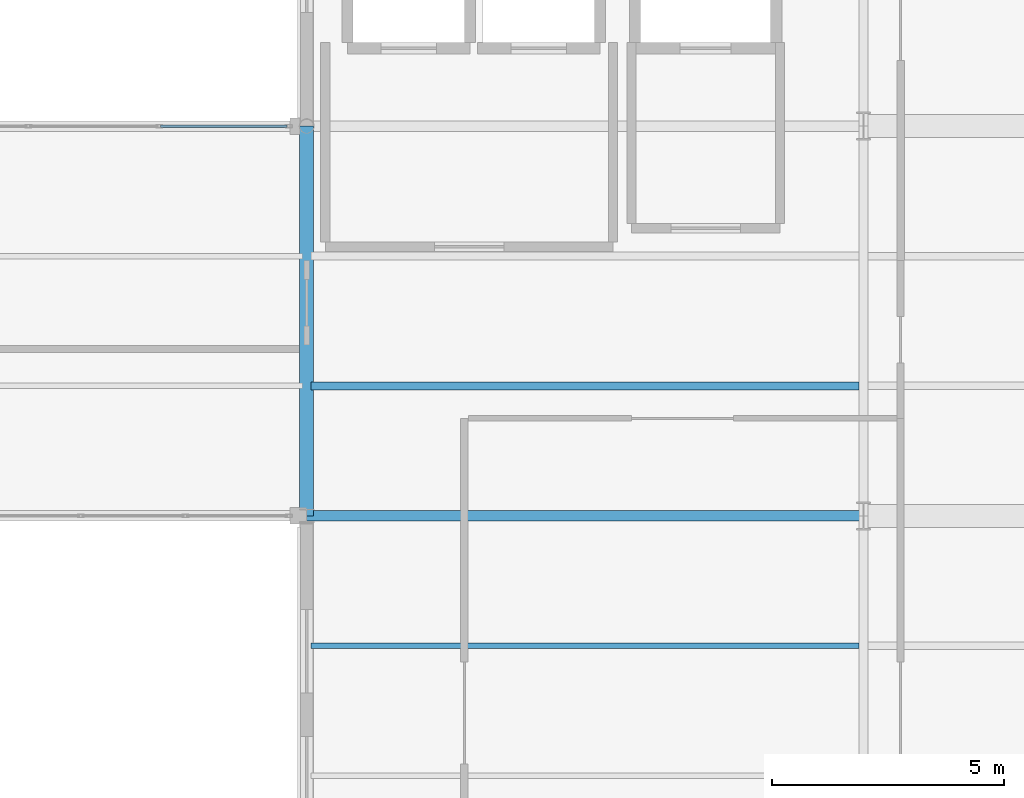
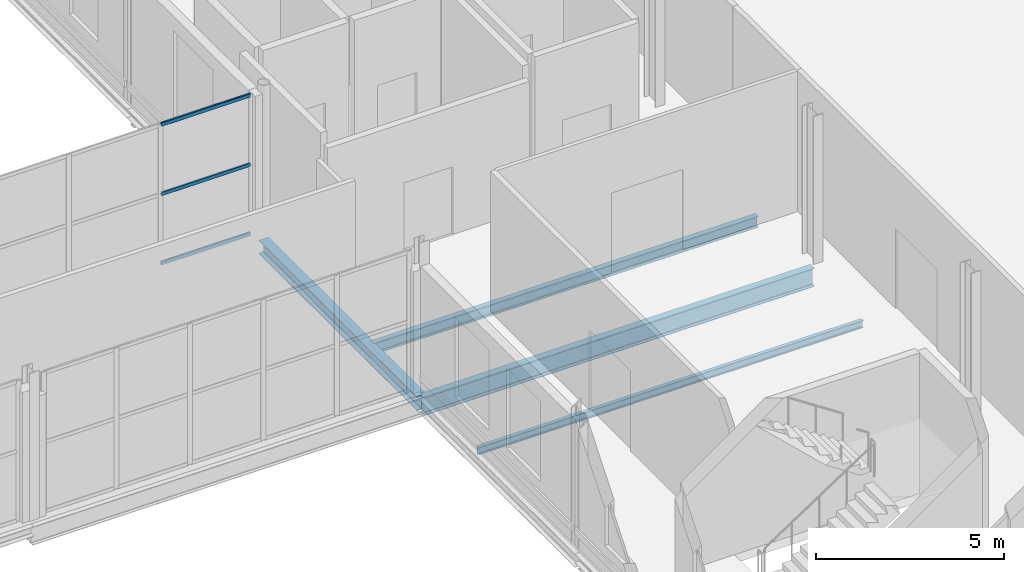
# One storey, part 68 of 120: 4 beams, 3 members, 1 element without a shape of its own.
"""IFC4 building model written with IfcOpenShell, lengths in metres."""

from ifc_helpers import new_model, si_unit, direction, frame, origin, origin_2d, place, context, subcontext, project, spatial, hollow_rectangle, i_section, extrude, material, layer, layer_set, material_profile, profile_set, type_object, element, aggregate, save


model = new_model("IFC4")

# Units and contexts
model_context = context("Model", 3, precision=1e-05, world=origin(), true_north=direction((0.0, 1.0)))
body_context = subcontext(model_context, "Body", "Model", "MODEL_VIEW")
ifc_project = project(units=[si_unit("LENGTHUNIT", "METRE"), si_unit("AREAUNIT", "SQUARE_METRE"), si_unit("VOLUMEUNIT", "CUBIC_METRE"), si_unit("PLANEANGLEUNIT", "RADIAN"), si_unit("MASSUNIT", "GRAM", prefix="KILO")], contexts=[model_context])

# Site, building, storey
site_placement = place(None, origin())
site = spatial("IfcSite", under=ifc_project, at=site_placement, CompositionType="ELEMENT")
building_placement = place(site_placement, origin())
building = spatial("IfcBuilding", under=site, at=building_placement, Name="Vekula Escarpment Museum", CompositionType="ELEMENT")
storey_placement = place(building_placement, frame((0.0, 0.0, 13.199951171875)))
storey = spatial("IfcBuildingStorey", under=building, at=storey_placement, Name="L03", CompositionType="ELEMENT", Elevation=13.199951171875)

# Beams
ifc_material_1 = material(Name="Steel S355", Category="steel")
ifc_material_profile_1 = material_profile(ifc_material_1, i_section(OverallWidth=0.219970703125, OverallDepth=0.60009765625, WebThickness=0.011962890625, FlangeThickness=0.01904296875, FilletRadius=0.02392578125, at=origin_2d()), Name="IPE 600")
ifc_profile_set_1 = profile_set([ifc_material_profile_1], Name="Steel S355")
beam_type_1 = type_object("IfcBeamType", Name="BM-GIRD-IPE600", PredefinedType="BEAM", material=ifc_profile_set_1)
beam_1_placement = place(storey_placement, frame((167.0, 68.0, -0.579833984375), z_axis=(1.0, 0.0, 0.0), x_axis=(0.0, 1.0, 0.0)))
element("IfcBeam", 1, at=beam_1_placement, inside=storey, type_object=beam_type_1, Name="Beam X L03 1373", PredefinedType="BEAM", context=body_context, shape_type="SweptSolid", body=[
    extrude(i_section(OverallWidth=0.219970703125, OverallDepth=0.60009765625, WebThickness=0.011962890625, FlangeThickness=0.01904296875, FilletRadius=0.02392578125, at=origin_2d()), origin(), (0.0, 0.0, 1.0), 12.0),
])
ifc_material_2 = material(Name="Steel S355", Category="steel")
ifc_material_profile_2 = material_profile(ifc_material_2, i_section(OverallWidth=0.1201171875, OverallDepth=0.239990234375, WebThickness=0.006103515625, FlangeThickness=0.009765625, FilletRadius=0.014892578125, at=origin_2d()), Name="IPE 240")
ifc_profile_set_2 = profile_set([ifc_material_profile_2], Name="Steel S355")
beam_type_2 = type_object("IfcBeamType", Name="BM-JST-IPE240", PredefinedType="JOIST", material=ifc_profile_set_2)
beam_2_placement = place(storey_placement, frame((167.090087890625, 65.199951171875, -0.39990234375), z_axis=(1.0, 0.0, 0.0), x_axis=(0.0, 1.0, 0.0)))
element("IfcBeam", 2, at=beam_2_placement, inside=storey, type_object=beam_type_2, Name="Secondary Joist L03 1102", PredefinedType="JOIST", context=body_context, shape_type="SweptSolid", body=[
    extrude(i_section(OverallWidth=0.1201171875, OverallDepth=0.239990234375, WebThickness=0.006103515625, FlangeThickness=0.009765625, FilletRadius=0.014892578125, at=origin_2d()), origin(), (0.0, 0.0, 1.0), 11.81982421875),
])
ifc_material_3 = material(Name="Steel S355", Category="steel")
ifc_material_profile_3 = material_profile(ifc_material_3, i_section(OverallWidth=0.169921875, OverallDepth=0.360107421875, WebThickness=0.008056640625, FlangeThickness=0.0126953125, FilletRadius=0.01806640625, at=origin_2d()), Name="IPE 360")
ifc_profile_set_3 = profile_set([ifc_material_profile_3], Name="Steel S355")
beam_type_3 = type_object("IfcBeamType", Name="BM-JST-IPE360", PredefinedType="JOIST", material=ifc_profile_set_3)
beam_3_placement = place(storey_placement, frame((167.090087890625, 70.800048828125, -0.4599609375), z_axis=(1.0, 0.0, 0.0), x_axis=(0.0, 1.0, 0.0)))
element("IfcBeam", 3, at=beam_3_placement, inside=storey, type_object=beam_type_3, Name="Secondary Joist L03 1103", PredefinedType="JOIST", context=body_context, shape_type="SweptSolid", body=[
    extrude(i_section(OverallWidth=0.169921875, OverallDepth=0.360107421875, WebThickness=0.008056640625, FlangeThickness=0.0126953125, FilletRadius=0.01806640625, at=origin_2d()), origin(), (0.0, 0.0, 1.0), 11.81982421875),
])
ifc_material_4 = material(Name="Steel S355", Category="steel")
ifc_material_profile_4 = material_profile(ifc_material_4, i_section(OverallWidth=0.300048828125, OverallDepth=0.43994140625, WebThickness=0.011474609375, FlangeThickness=0.02099609375, FilletRadius=0.027099609375, at=origin_2d()), Name="HEA 450")
ifc_profile_set_4 = profile_set([ifc_material_profile_4], Name="Steel S355")
beam_type_4 = type_object("IfcBeamType", Name="BM-SPAN-HEA450", PredefinedType="SPANDREL", material=ifc_profile_set_4)
beam_4_placement = place(storey_placement, frame((167.0, 68.0, -0.5), z_axis=(0.0, 1.0, 0.0), x_axis=(-1.0, 0.0, 0.0)))
element("IfcBeam", 4, at=beam_4_placement, inside=storey, type_object=beam_type_4, Name="Beam Y L03 1648", PredefinedType="SPANDREL", context=body_context, shape_type="SweptSolid", body=[
    extrude(i_section(OverallWidth=0.300048828125, OverallDepth=0.43994140625, WebThickness=0.011474609375, FlangeThickness=0.02099609375, FilletRadius=0.027099609375, at=origin_2d()), origin(), (0.0, 0.0, 1.0), 8.39990234375),
])

# Curtain wall, members
ifc_material_5 = material(Name="Aluminium thermally broken framing", Category="aluminium")
ifc_layer = layer(ifc_material_5, 0.179931640625)
ifc_layer_set = layer_set([ifc_layer], Name="Aluminium thermally broken framing")
curtain_wall_type = type_object("IfcCurtainWallType", Name="CW-SYS-07", PredefinedType="NOTDEFINED", material=ifc_layer_set)
curtain_wall_placement = place(storey_placement, origin())
curtain_wall = element("IfcCurtainWall", 5, at=curtain_wall_placement, inside=storey, type_object=curtain_wall_type, Name="Curtain Wall CW-L03-117", PredefinedType="NOTDEFINED")
ifc_material_6 = material(Name="Aluminium anodized transom", Category="aluminium")
ifc_material_profile_5 = material_profile(ifc_material_6, hollow_rectangle(XDim=0.06005859375, YDim=0.1201171875, WallThickness=0.00390625, InnerFilletRadius=0.00390625, OuterFilletRadius=0.008056640625, at=origin_2d()), Name="ALU 120x60x4")
ifc_profile_set_5 = profile_set([ifc_material_profile_5], Name="Aluminium anodized transom")
member_type = type_object("IfcMemberType", Name="CW-TRN-120", PredefinedType="USERDEFINED", material=ifc_profile_set_5)
member_1_placement = place(storey_placement, frame((166.580078125, 76.39990234375, 0.030029296875), z_axis=(-1.0, 0.0, 0.0), x_axis=(0.0, -1.0, 0.0)))
member_1 = element("IfcMember", 6, at=member_1_placement, type_object=member_type, Name="CW-07 transom 1.1", ObjectType="TRANSOM", PredefinedType="USERDEFINED", context=body_context, shape_type="SweptSolid", body=[
    extrude(hollow_rectangle(XDim=0.06005859375, YDim=0.1201171875, WallThickness=0.00390625, InnerFilletRadius=0.00390625, OuterFilletRadius=0.008056640625, at=origin_2d()), origin(), (0.0, 0.0, 1.0), 2.72998046875),
])
member_2_placement = place(storey_placement, frame((166.580078125, 76.39990234375, 2.280029296875), z_axis=(-1.0, 0.0, 0.0), x_axis=(0.0, -1.0, 0.0)))
member_2 = element("IfcMember", 7, at=member_2_placement, type_object=member_type, Name="CW-07 transom 1.2", ObjectType="TRANSOM", PredefinedType="USERDEFINED", context=body_context, shape_type="SweptSolid", body=[
    extrude(hollow_rectangle(XDim=0.06005859375, YDim=0.1201171875, WallThickness=0.00390625, InnerFilletRadius=0.00390625, OuterFilletRadius=0.008056640625, at=origin_2d()), origin(), (0.0, 0.0, 1.0), 2.72998046875),
])
member_3_placement = place(storey_placement, frame((166.580078125, 76.39990234375, 4.530029296875), z_axis=(-1.0, 0.0, 0.0), x_axis=(0.0, -1.0, 0.0)))
member_3 = element("IfcMember", 8, at=member_3_placement, type_object=member_type, Name="CW-07 transom 1.3", ObjectType="TRANSOM", PredefinedType="USERDEFINED", context=body_context, shape_type="SweptSolid", body=[
    extrude(hollow_rectangle(XDim=0.06005859375, YDim=0.1201171875, WallThickness=0.00390625, InnerFilletRadius=0.00390625, OuterFilletRadius=0.008056640625, at=origin_2d()), origin(), (0.0, 0.0, 1.0), 2.72998046875),
])
aggregate(curtain_wall, [member_1, member_2, member_3])

save(model, "model.ifc")
